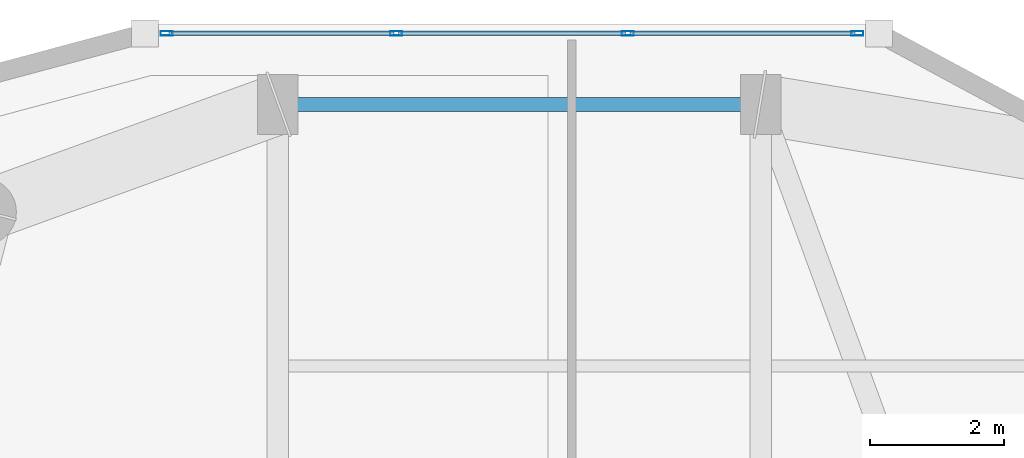
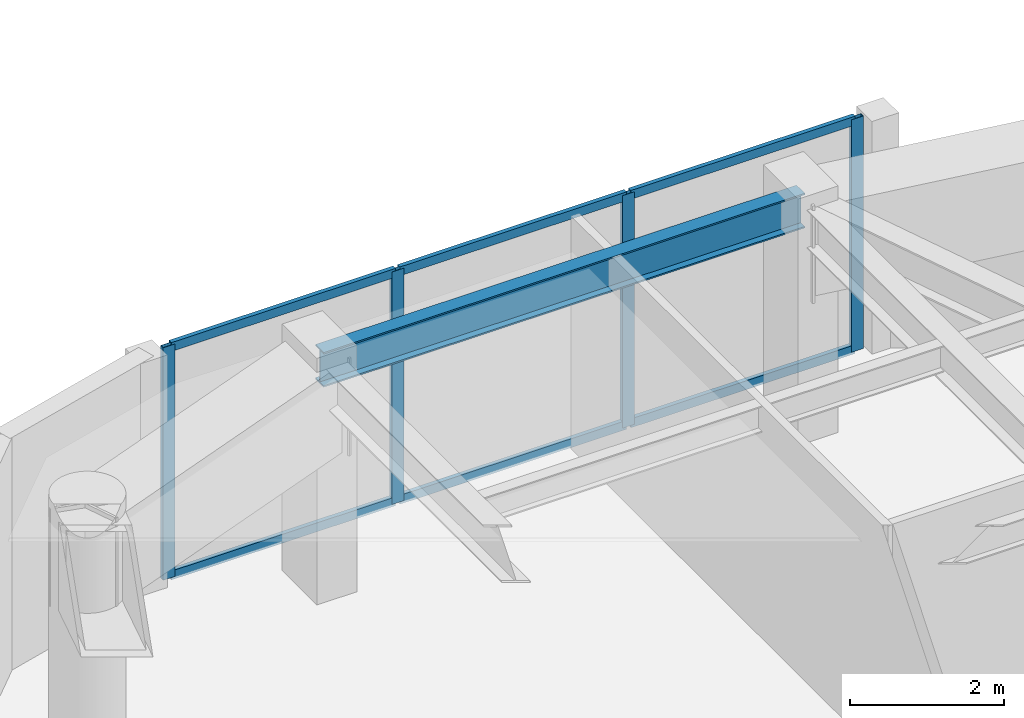
# One storey, part 10 of 21: 10 members, 1 beam, 1 element without a shape of its own.
"""IFC4 building model written with IfcOpenShell, lengths in metres."""

from ifc_helpers import new_model, si_unit, direction, frame, origin, origin_2d, place, context, subcontext, project, spatial, hollow_rectangle, i_section, extrude, material, layer, layer_set, material_profile, profile_set, type_object, element, aggregate, save


model = new_model("IFC4")

# Units and contexts
model_context = context("Model", 3, precision=1e-05, world=origin(), true_north=direction((0.0, 1.0)))
body_context = subcontext(model_context, "Body", "Model", "MODEL_VIEW")
ifc_project = project(units=[si_unit("LENGTHUNIT", "METRE"), si_unit("AREAUNIT", "SQUARE_METRE"), si_unit("VOLUMEUNIT", "CUBIC_METRE"), si_unit("PLANEANGLEUNIT", "RADIAN"), si_unit("MASSUNIT", "GRAM", prefix="KILO")], contexts=[model_context])

# Site, building, storey
site_placement = place(None, origin())
site = spatial("IfcSite", under=ifc_project, at=site_placement, CompositionType="ELEMENT")
building_placement = place(site_placement, origin())
building = spatial("IfcBuilding", under=site, at=building_placement, Name="Kiyonajd Concourse Tower", CompositionType="ELEMENT")
storey_placement = place(building_placement, frame((0.0, 0.0, 234.89990234375)))
storey = spatial("IfcBuildingStorey", under=building, at=storey_placement, Name="L59", CompositionType="ELEMENT", Elevation=234.89990234375)

# Beam
ifc_material_1 = material(Name="Steel ASTM A992 Grade 50", Category="steel")
ifc_material_profile_1 = material_profile(ifc_material_1, i_section(OverallWidth=0.214111328125, OverallDepth=0.549072265625, WebThickness=0.0146484375, FlangeThickness=0.023681640625, at=origin_2d()), Name="W530X138")
ifc_profile_set_1 = profile_set([ifc_material_profile_1], Name="Steel ASTM A992 Grade 50")
beam_type = type_object("IfcBeamType", Name="BM-SPAN-530A", PredefinedType="SPANDREL", material=ifc_profile_set_1)
beam_placement = place(storey_placement, frame((39.60009765625, 61.199951171875, 3.405517578125), z_axis=(-1.0, 0.0, 0.0), x_axis=(0.0, -1.0, 0.0)))
element("IfcBeam", 1, at=beam_placement, inside=storey, type_object=beam_type, Name="L59 Perimeter Bundled Tube Spandrel", PredefinedType="SPANDREL", context=body_context, shape_type="SweptSolid", body=[
    extrude(i_section(OverallWidth=0.214111328125, OverallDepth=0.549072265625, WebThickness=0.0146484375, FlangeThickness=0.023681640625, at=origin_2d()), origin(), (0.0, 0.0, 1.0), 7.2001953125),
])

# Curtain wall, members
ifc_material_2 = material(Name="Thermally Broken Anodised Aluminium", Category="aluminium")
ifc_layer = layer(ifc_material_2, 0.179931640625)
ifc_layer_set = layer_set([ifc_layer], Name="Thermally Broken Anodised Aluminium")
curtain_wall_type = type_object("IfcCurtainWallType", Name="CW-SYS-04", PredefinedType="NOTDEFINED", material=ifc_layer_set)
curtain_wall_placement = place(storey_placement, origin())
curtain_wall = element("IfcCurtainWall", 2, at=curtain_wall_placement, inside=storey, type_object=curtain_wall_type, Name="L59 Unitised Curtain Wall CW4", PredefinedType="NOTDEFINED")
ifc_material_profile_2 = material_profile(ifc_material_2, hollow_rectangle(XDim=0.06494140625, YDim=0.179931640625, WallThickness=0.00390625, at=origin_2d()), Name="MULL-65x180")
ifc_profile_set_2 = profile_set([ifc_material_profile_2], Name="Thermally Broken Anodised Aluminium")
member_type_1 = type_object("IfcMemberType", Name="MB-CW-MULL1", PredefinedType="MULLION", material=ifc_profile_set_2)
member_1_placement = place(storey_placement, frame((30.740966796875, 62.260009765625, 0.0), z_axis=(0.0, 0.0, 1.0), x_axis=(0.0, 1.0, 0.0)))
member_1 = element("IfcMember", 3, at=member_1_placement, type_object=member_type_1, Name="CW4 mullion 1", PredefinedType="MULLION", context=body_context, shape_type="SweptSolid", body=[
    extrude(hollow_rectangle(XDim=0.06494140625, YDim=0.179931640625, WallThickness=0.00390625, at=origin_2d()), origin(), (0.0, 0.0, 1.0), 3.68017578125),
])
member_2_placement = place(storey_placement, frame((34.163818359375, 62.260009765625, 0.0), z_axis=(0.0, 0.0, 1.0), x_axis=(0.0, 1.0, 0.0)))
member_2 = element("IfcMember", 4, at=member_2_placement, type_object=member_type_1, Name="CW4 mullion 2", PredefinedType="MULLION", context=body_context, shape_type="SweptSolid", body=[
    extrude(hollow_rectangle(XDim=0.06494140625, YDim=0.179931640625, WallThickness=0.00390625, at=origin_2d()), origin(), (0.0, 0.0, 1.0), 3.68017578125),
])
member_3_placement = place(storey_placement, frame((37.619384765625, 62.260009765625, 0.0), z_axis=(0.0, 0.0, 1.0), x_axis=(0.0, 1.0, 0.0)))
member_3 = element("IfcMember", 5, at=member_3_placement, type_object=member_type_1, Name="CW4 mullion 3", PredefinedType="MULLION", context=body_context, shape_type="SweptSolid", body=[
    extrude(hollow_rectangle(XDim=0.06494140625, YDim=0.179931640625, WallThickness=0.00390625, at=origin_2d()), origin(), (0.0, 0.0, 1.0), 3.68017578125),
])
member_4_placement = place(storey_placement, frame((41.042236328125, 62.260009765625, 0.0), z_axis=(0.0, 0.0, 1.0), x_axis=(0.0, 1.0, 0.0)))
member_4 = element("IfcMember", 6, at=member_4_placement, type_object=member_type_1, Name="CW4 mullion 4", PredefinedType="MULLION", context=body_context, shape_type="SweptSolid", body=[
    extrude(hollow_rectangle(XDim=0.06494140625, YDim=0.179931640625, WallThickness=0.00390625, at=origin_2d()), origin(), (0.0, 0.0, 1.0), 3.68017578125),
])
ifc_material_profile_3 = material_profile(ifc_material_2, hollow_rectangle(XDim=0.06494140625, YDim=0.139892578125, WallThickness=0.00390625, at=origin_2d()), Name="TRAN-65x140")
ifc_profile_set_3 = profile_set([ifc_material_profile_3], Name="Thermally Broken Anodised Aluminium")
member_type_2 = type_object("IfcMemberType", Name="MB-CW-TRAN1", PredefinedType="USERDEFINED", material=ifc_profile_set_3)
member_5_placement = place(storey_placement, frame((30.7734375, 62.260009765625, 0.03271484375), z_axis=(1.0, 0.0, 0.0), x_axis=(0.0, 1.0, 0.0)))
member_5 = element("IfcMember", 7, at=member_5_placement, type_object=member_type_2, Name="CW4 transom 1.1", ObjectType="TRANSOM", PredefinedType="USERDEFINED", context=body_context, shape_type="SweptSolid", body=[
    extrude(hollow_rectangle(XDim=0.06494140625, YDim=0.139892578125, WallThickness=0.00390625, at=origin_2d()), origin(), (0.0, 0.0, 1.0), 3.35791015625),
])
member_6_placement = place(storey_placement, frame((30.7734375, 62.260009765625, 3.647705078125), z_axis=(1.0, 0.0, 0.0), x_axis=(0.0, 1.0, 0.0)))
member_6 = element("IfcMember", 8, at=member_6_placement, type_object=member_type_2, Name="CW4 transom 1.2", ObjectType="TRANSOM", PredefinedType="USERDEFINED", context=body_context, shape_type="SweptSolid", body=[
    extrude(hollow_rectangle(XDim=0.06494140625, YDim=0.139892578125, WallThickness=0.00390625, at=origin_2d()), origin(), (0.0, 0.0, 1.0), 3.35791015625),
])
member_7_placement = place(storey_placement, frame((34.1962890625, 62.260009765625, 0.03271484375), z_axis=(1.0, 0.0, 0.0), x_axis=(0.0, 1.0, 0.0)))
member_7 = element("IfcMember", 9, at=member_7_placement, type_object=member_type_2, Name="CW4 transom 2.1", ObjectType="TRANSOM", PredefinedType="USERDEFINED", context=body_context, shape_type="SweptSolid", body=[
    extrude(hollow_rectangle(XDim=0.06494140625, YDim=0.139892578125, WallThickness=0.00390625, at=origin_2d()), origin(), (0.0, 0.0, 1.0), 3.390380859375),
])
member_8_placement = place(storey_placement, frame((34.1962890625, 62.260009765625, 3.647705078125), z_axis=(1.0, 0.0, 0.0), x_axis=(0.0, 1.0, 0.0)))
member_8 = element("IfcMember", 10, at=member_8_placement, type_object=member_type_2, Name="CW4 transom 2.2", ObjectType="TRANSOM", PredefinedType="USERDEFINED", context=body_context, shape_type="SweptSolid", body=[
    extrude(hollow_rectangle(XDim=0.06494140625, YDim=0.139892578125, WallThickness=0.00390625, at=origin_2d()), origin(), (0.0, 0.0, 1.0), 3.390380859375),
])
member_9_placement = place(storey_placement, frame((37.65185546875, 62.260009765625, 0.03271484375), z_axis=(1.0, 0.0, 0.0), x_axis=(0.0, 1.0, 0.0)))
member_9 = element("IfcMember", 11, at=member_9_placement, type_object=member_type_2, Name="CW4 transom 3.1", ObjectType="TRANSOM", PredefinedType="USERDEFINED", context=body_context, shape_type="SweptSolid", body=[
    extrude(hollow_rectangle(XDim=0.06494140625, YDim=0.139892578125, WallThickness=0.00390625, at=origin_2d()), origin(), (0.0, 0.0, 1.0), 3.35791015625),
])
member_10_placement = place(storey_placement, frame((37.65185546875, 62.260009765625, 3.647705078125), z_axis=(1.0, 0.0, 0.0), x_axis=(0.0, 1.0, 0.0)))
member_10 = element("IfcMember", 12, at=member_10_placement, type_object=member_type_2, Name="CW4 transom 3.2", ObjectType="TRANSOM", PredefinedType="USERDEFINED", context=body_context, shape_type="SweptSolid", body=[
    extrude(hollow_rectangle(XDim=0.06494140625, YDim=0.139892578125, WallThickness=0.00390625, at=origin_2d()), origin(), (0.0, 0.0, 1.0), 3.35791015625),
])
aggregate(curtain_wall, [member_1, member_2, member_3, member_4, member_5, member_6, member_7, member_8, member_9, member_10])

save(model, "model.ifc")
